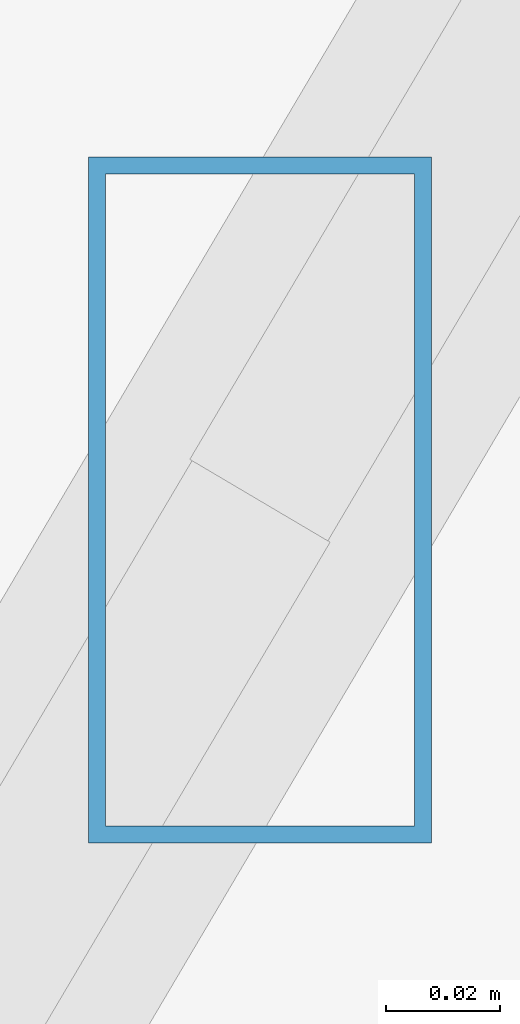
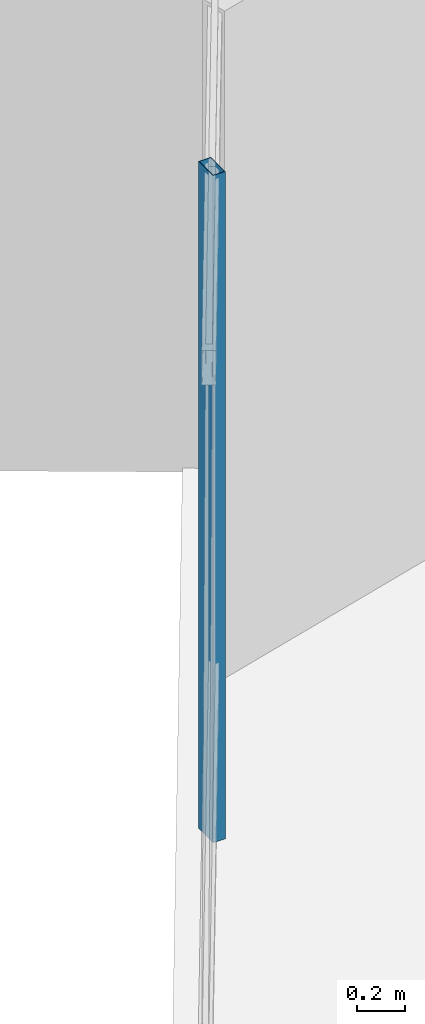
# One storey, part 7 of 45: 1 member, 1 element without a shape of its own.
"""IFC4 building model written with IfcOpenShell, lengths in metres."""

from ifc_helpers import new_model, si_unit, direction, frame, origin, origin_2d, place, context, subcontext, project, spatial, hollow_rectangle, extrude, source, transform, mapped, material, material_profile, profile_set, type_object, type_shapes, element, aggregate, save


model = new_model("IFC4")

# Units and contexts
model_context = context("Model", 3, precision=1e-05, world=origin(), true_north=direction((0.0, 1.0)))
body_context = subcontext(model_context, "Body", "Model", "MODEL_VIEW")
ifc_project = project(units=[si_unit("LENGTHUNIT", "METRE"), si_unit("AREAUNIT", "SQUARE_METRE"), si_unit("VOLUMEUNIT", "CUBIC_METRE"), si_unit("PLANEANGLEUNIT", "RADIAN"), si_unit("MASSUNIT", "GRAM", prefix="KILO")], contexts=[model_context])

# Site, building, storey
site_placement = place(None, origin())
site = spatial("IfcSite", under=ifc_project, at=site_placement, CompositionType="ELEMENT")
building_placement = place(site_placement, origin())
building = spatial("IfcBuilding", under=site, at=building_placement, Name="Caelisora Broadcast Tower", CompositionType="ELEMENT")
storey_placement = place(building_placement, frame((0.0, 0.0, 266.35009765625)))
storey = spatial("IfcBuildingStorey", under=building, at=storey_placement, Name="L70", CompositionType="ELEMENT", Elevation=266.35009765625)

# Curtain wall, member
ifc_material_1 = material(Name="Unitised Aluminium and Low-E Glass Curtain Wall", Category="glass")
curtain_wall_type = type_object("IfcCurtainWallType", Name="CW-Z5", PredefinedType="NOTDEFINED", material=ifc_material_1)
curtain_wall_placement = place(storey_placement, origin())
curtain_wall = element("IfcCurtainWall", 1, at=curtain_wall_placement, inside=storey, type_object=curtain_wall_type, Name="L70 curtain wall CW-Z5", PredefinedType="NOTDEFINED")
ifc_material_2 = material(Name="Aluminium 6063-T6 Anodised Terracotta Bronze", Category="aluminium")
ifc_material_profile = material_profile(ifc_material_2, hollow_rectangle(XDim=0.06005859375, YDim=0.1201171875, WallThickness=0.0029296875, at=origin_2d()), Name="Aluminium 6063-T6 Anodised Terracotta Bronze")
ifc_profile_set = profile_set([ifc_material_profile], Name="Aluminium 6063-T6 Anodised Terracotta Bronze")
member_type = type_object("IfcMemberType", Name="CWM-04", PredefinedType="MULLION", material=ifc_profile_set)
shared_shape = source(origin(), body_context, "Body", "SweptSolid", [
    extrude(hollow_rectangle(XDim=0.06005859375, YDim=0.1201171875, WallThickness=0.0029296875, at=origin_2d()), origin(), (0.0, 0.0, 1.0), 3.39990234375),
])
type_shapes(member_type, [shared_shape])
member_placement = place(storey_placement, frame((15.228515625, 16.73291015625, 0.0), z_axis=(0.0, 0.0, 1.0), x_axis=(1.0, 0.0, 0.0)))
member = element("IfcMember", 2, at=member_placement, type_object=member_type, Name="L70-CW-B09 mullion #1", PredefinedType="MULLION", context=body_context, shape_type="MappedRepresentation", body=[
    mapped(shared_shape, transform((0.0, 0.0, 0.0), scale=1.0)),
])
aggregate(curtain_wall, [member])

save(model, "model.ifc")
